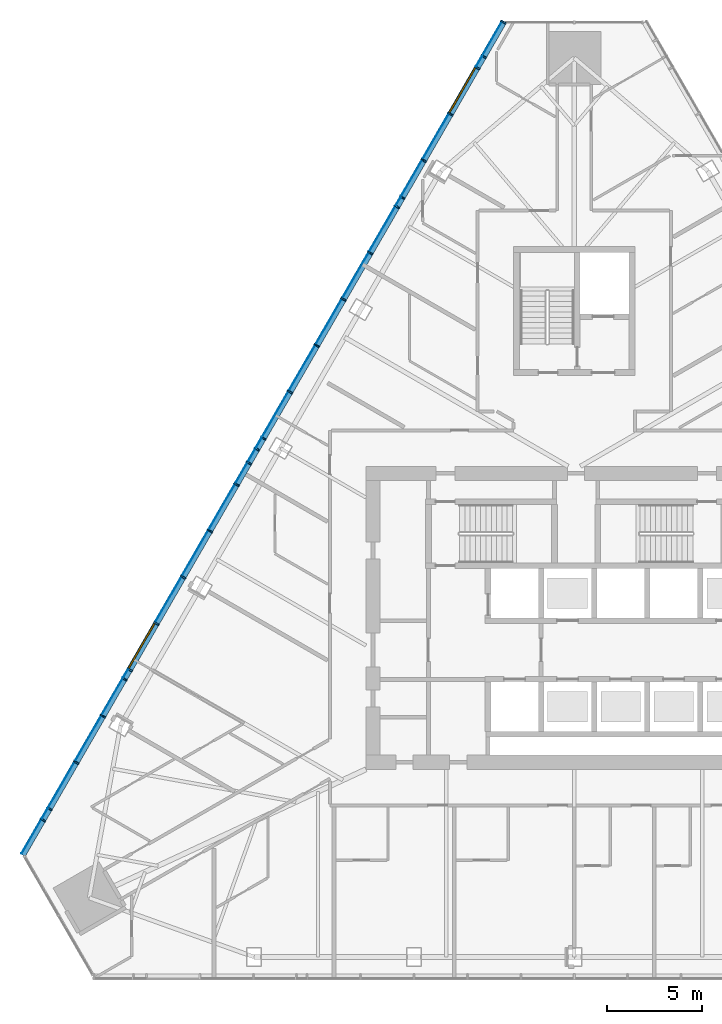
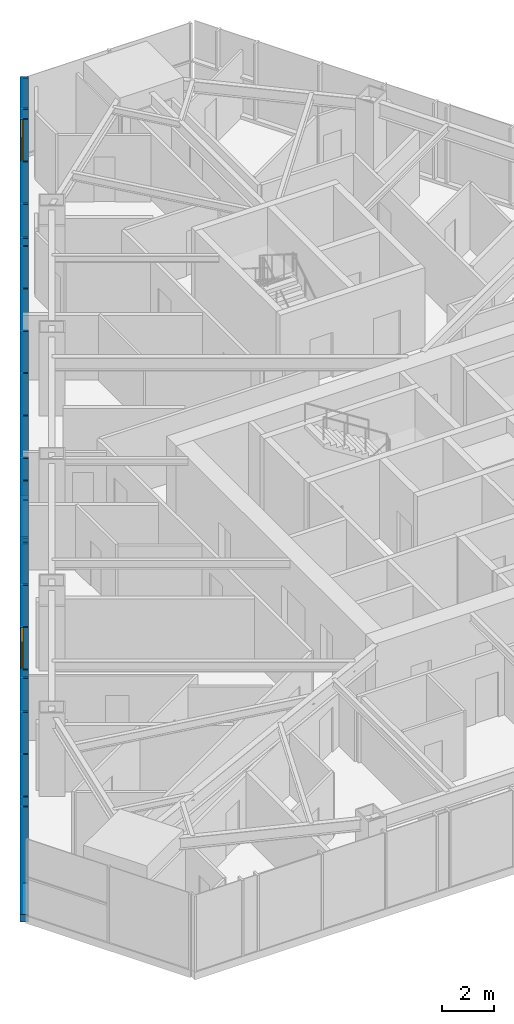
# One storey, part 5 of 20: 26 members, 23 plates, 2 windows, 2 openings, 1 element without a shape of its own.
"""IFC4 building model written with IfcOpenShell, lengths in metres."""

from ifc_helpers import new_model, si_unit, direction, frame, frame_2d, origin, origin_2d, place, context, subcontext, project, spatial, polyline, rectangle, outline, extrude, material, layer, layer_set, material_profile, profile_set, type_object, element, fill, aggregate, save


model = new_model("IFC4")

# Units and contexts
model_context = context("Model", 3, precision=1e-05, world=origin(), true_north=direction((0.0, 1.0)))
body_context = subcontext(model_context, "Body", "Model", "MODEL_VIEW")
ifc_project = project(units=[si_unit("LENGTHUNIT", "METRE"), si_unit("AREAUNIT", "SQUARE_METRE"), si_unit("VOLUMEUNIT", "CUBIC_METRE"), si_unit("PLANEANGLEUNIT", "RADIAN"), si_unit("MASSUNIT", "GRAM", prefix="KILO")], contexts=[model_context])

# Site, building, storey
site_placement = place(None, origin())
site = spatial("IfcSite", under=ifc_project, at=site_placement, CompositionType="ELEMENT")
building_placement = place(site_placement, origin())
building = spatial("IfcBuilding", under=site, at=building_placement, Name="Firuza Gate Tower and Library", CompositionType="ELEMENT")
storey_placement = place(building_placement, frame((0.0, 0.0, 214.300048828125)))
storey = spatial("IfcBuildingStorey", under=building, at=storey_placement, Name="L50", CompositionType="ELEMENT", Elevation=214.300048828125)

# Curtain wall, openings, members, plates, windows
ifc_material_1 = material(Name="Aluminium 6063-T6", Category="aluminium")
ifc_layer_1 = layer(ifc_material_1, 0.14990234375)
ifc_layer_set_1 = layer_set([ifc_layer_1], Name="Unitised curtain wall, hotel")
curtain_wall_type = type_object("IfcCurtainWallType", Name="Unitised curtain wall, hotel", PredefinedType="NOTDEFINED", material=ifc_layer_set_1)
curtain_wall_placement = place(storey_placement, origin())
curtain_wall = element("IfcCurtainWall", 1, at=curtain_wall_placement, inside=storey, type_object=curtain_wall_type, Name="CW2 L50 W face", PredefinedType="NOTDEFINED")
opening_1_placement = place(curtain_wall_placement, frame((69.77783203125, 104.050048828125, 0.14990234375), z_axis=(0.0, 0.0, 1.0), x_axis=(-0.5, -0.866025, 0.0)))
opening_1 = element("IfcOpeningElement", 2, at=opening_1_placement, cuts=curtain_wall, Name="Opening WD1-005", PredefinedType="OPENING", context=body_context, shape_type="SweptSolid", body=[
    extrude(rectangle(XDim=2.743408203125, YDim=3.550048828125, at=frame_2d((1.37158203125, 1.77490234375))), frame((0.0, 0.0849609375, 0.0), z_axis=(0.0, -1.0, 0.0), x_axis=(1.0, 0.0, 0.0)), (0.0, 0.0, 1.0), 0.169921875),
])
opening_2_placement = place(curtain_wall_placement, frame((52.837646484375, 74.708740234375, 0.14990234375), z_axis=(0.0, 0.0, 1.0), x_axis=(-0.5, -0.866025, 0.0)))
opening_2 = element("IfcOpeningElement", 3, at=opening_2_placement, cuts=curtain_wall, Name="Opening WD1-006", PredefinedType="OPENING", context=body_context, shape_type="SweptSolid", body=[
    extrude(rectangle(XDim=2.743408203125, YDim=3.550048828125, at=frame_2d((1.37158203125, 1.77490234375))), frame((0.0, 0.0849609375, 0.0), z_axis=(0.0, -1.0, 0.0), x_axis=(1.0, 0.0, 0.0)), (0.0, 0.0, 1.0), 0.169921875),
])
ifc_material_2 = material(Name="Aluminium 6063-T6", Category="aluminium")
ifc_material_profile_1 = material_profile(ifc_material_2, rectangle(XDim=0.320068359375, YDim=0.080078125, at=origin_2d()))
ifc_profile_set_1 = profile_set([ifc_material_profile_1], Name="Aluminium 6063-T6")
member_type_1 = type_object("IfcMemberType", Name="Curtain wall mullion 80x320", PredefinedType="MULLION", material=ifc_profile_set_1)
member_1_placement = place(storey_placement, frame((71.26318359375, 106.45263671875, 0.14990234375), z_axis=(0.0, 0.0, 1.0), x_axis=(0.866025403784, -0.5, 0.0)))
member_1 = element("IfcMember", 4, at=member_1_placement, type_object=member_type_1, Name="Mullion", PredefinedType="MULLION", context=body_context, shape_type="SweptSolid", body=[
    extrude(rectangle(XDim=0.320068359375, YDim=0.080078125, at=origin_2d()), origin(), (0.0, 0.0, 1.0), 3.550048828125),
])
member_2_placement = place(storey_placement, frame((69.871337890625, 104.042236328125, 0.14990234375), z_axis=(0.0, 0.0, 1.0), x_axis=(0.866025403784, -0.5, 0.0)))
member_2 = element("IfcMember", 5, at=member_2_placement, type_object=member_type_1, Name="Mullion", PredefinedType="MULLION", context=body_context, shape_type="SweptSolid", body=[
    extrude(rectangle(XDim=0.320068359375, YDim=0.080078125, at=origin_2d()), origin(), (0.0, 0.0, 1.0), 3.550048828125),
])
member_3_placement = place(storey_placement, frame((68.459716796875, 101.596923828125, 0.14990234375), z_axis=(0.0, 0.0, 1.0), x_axis=(0.866025403784, -0.5, 0.0)))
member_3 = element("IfcMember", 6, at=member_3_placement, type_object=member_type_1, Name="Mullion", PredefinedType="MULLION", context=body_context, shape_type="SweptSolid", body=[
    extrude(rectangle(XDim=0.320068359375, YDim=0.080078125, at=origin_2d()), origin(), (0.0, 0.0, 1.0), 3.550048828125),
])
member_4_placement = place(storey_placement, frame((67.048095703125, 99.15185546875, 0.14990234375), z_axis=(0.0, 0.0, 1.0), x_axis=(0.866025403784, -0.5, 0.0)))
member_4 = element("IfcMember", 7, at=member_4_placement, type_object=member_type_1, Name="Mullion", PredefinedType="MULLION", context=body_context, shape_type="SweptSolid", body=[
    extrude(rectangle(XDim=0.320068359375, YDim=0.080078125, at=origin_2d()), origin(), (0.0, 0.0, 1.0), 3.550048828125),
])
member_5_placement = place(storey_placement, frame((65.636474609375, 96.706787109375, 0.14990234375), z_axis=(0.0, 0.0, 1.0), x_axis=(0.866025403784, -0.5, 0.0)))
member_5 = element("IfcMember", 8, at=member_5_placement, type_object=member_type_1, Name="Mullion", PredefinedType="MULLION", context=body_context, shape_type="SweptSolid", body=[
    extrude(rectangle(XDim=0.320068359375, YDim=0.080078125, at=origin_2d()), origin(), (0.0, 0.0, 1.0), 3.550048828125),
])
member_6_placement = place(storey_placement, frame((64.224609375, 94.26171875, 0.14990234375), z_axis=(0.0, 0.0, 1.0), x_axis=(0.866025403784, -0.5, 0.0)))
member_6 = element("IfcMember", 9, at=member_6_placement, type_object=member_type_1, Name="Mullion", PredefinedType="MULLION", context=body_context, shape_type="SweptSolid", body=[
    extrude(rectangle(XDim=0.320068359375, YDim=0.080078125, at=origin_2d()), origin(), (0.0, 0.0, 1.0), 3.550048828125),
])
member_7_placement = place(storey_placement, frame((62.81298828125, 91.816650390625, 0.14990234375), z_axis=(0.0, 0.0, 1.0), x_axis=(0.866025403784, -0.5, 0.0)))
member_7 = element("IfcMember", 10, at=member_7_placement, type_object=member_type_1, Name="Mullion", PredefinedType="MULLION", context=body_context, shape_type="SweptSolid", body=[
    extrude(rectangle(XDim=0.320068359375, YDim=0.080078125, at=origin_2d()), origin(), (0.0, 0.0, 1.0), 3.550048828125),
])
member_8_placement = place(storey_placement, frame((61.4013671875, 89.37158203125, 0.14990234375), z_axis=(0.0, 0.0, 1.0), x_axis=(0.866025403784, -0.5, 0.0)))
member_8 = element("IfcMember", 11, at=member_8_placement, type_object=member_type_1, Name="Mullion", PredefinedType="MULLION", context=body_context, shape_type="SweptSolid", body=[
    extrude(rectangle(XDim=0.320068359375, YDim=0.080078125, at=origin_2d()), origin(), (0.0, 0.0, 1.0), 3.550048828125),
])
member_9_placement = place(storey_placement, frame((59.989501953125, 86.92626953125, 0.14990234375), z_axis=(0.0, 0.0, 1.0), x_axis=(0.866025403784, -0.5, 0.0)))
member_9 = element("IfcMember", 12, at=member_9_placement, type_object=member_type_1, Name="Mullion", PredefinedType="MULLION", context=body_context, shape_type="SweptSolid", body=[
    extrude(rectangle(XDim=0.320068359375, YDim=0.080078125, at=origin_2d()), origin(), (0.0, 0.0, 1.0), 3.550048828125),
])
member_10_placement = place(storey_placement, frame((58.577880859375, 84.481201171875, 0.14990234375), z_axis=(0.0, 0.0, 1.0), x_axis=(0.866025403784, -0.5, 0.0)))
member_10 = element("IfcMember", 13, at=member_10_placement, type_object=member_type_1, Name="Mullion", PredefinedType="MULLION", context=body_context, shape_type="SweptSolid", body=[
    extrude(rectangle(XDim=0.320068359375, YDim=0.080078125, at=origin_2d()), origin(), (0.0, 0.0, 1.0), 3.550048828125),
])
member_11_placement = place(storey_placement, frame((57.166259765625, 82.0361328125, 0.14990234375), z_axis=(0.0, 0.0, 1.0), x_axis=(0.866025403784, -0.5, 0.0)))
member_11 = element("IfcMember", 14, at=member_11_placement, type_object=member_type_1, Name="Mullion", PredefinedType="MULLION", context=body_context, shape_type="SweptSolid", body=[
    extrude(rectangle(XDim=0.320068359375, YDim=0.080078125, at=origin_2d()), origin(), (0.0, 0.0, 1.0), 3.550048828125),
])
member_12_placement = place(storey_placement, frame((55.754638671875, 79.591064453125, 0.14990234375), z_axis=(0.0, 0.0, 1.0), x_axis=(0.866025403784, -0.5, 0.0)))
member_12 = element("IfcMember", 15, at=member_12_placement, type_object=member_type_1, Name="Mullion", PredefinedType="MULLION", context=body_context, shape_type="SweptSolid", body=[
    extrude(rectangle(XDim=0.320068359375, YDim=0.080078125, at=origin_2d()), origin(), (0.0, 0.0, 1.0), 3.550048828125),
])
member_13_placement = place(storey_placement, frame((54.3427734375, 77.14599609375, 0.14990234375), z_axis=(0.0, 0.0, 1.0), x_axis=(0.866025403784, -0.5, 0.0)))
member_13 = element("IfcMember", 16, at=member_13_placement, type_object=member_type_1, Name="Mullion", PredefinedType="MULLION", context=body_context, shape_type="SweptSolid", body=[
    extrude(rectangle(XDim=0.320068359375, YDim=0.080078125, at=origin_2d()), origin(), (0.0, 0.0, 1.0), 3.550048828125),
])
member_14_placement = place(storey_placement, frame((52.93115234375, 74.700927734375, 0.14990234375), z_axis=(0.0, 0.0, 1.0), x_axis=(0.866025403784, -0.5, 0.0)))
member_14 = element("IfcMember", 17, at=member_14_placement, type_object=member_type_1, Name="Mullion", PredefinedType="MULLION", context=body_context, shape_type="SweptSolid", body=[
    extrude(rectangle(XDim=0.320068359375, YDim=0.080078125, at=origin_2d()), origin(), (0.0, 0.0, 1.0), 3.550048828125),
])
member_15_placement = place(storey_placement, frame((51.51953125, 72.255859375, 0.14990234375), z_axis=(0.0, 0.0, 1.0), x_axis=(0.866025403784, -0.5, 0.0)))
member_15 = element("IfcMember", 18, at=member_15_placement, type_object=member_type_1, Name="Mullion", PredefinedType="MULLION", context=body_context, shape_type="SweptSolid", body=[
    extrude(rectangle(XDim=0.320068359375, YDim=0.080078125, at=origin_2d()), origin(), (0.0, 0.0, 1.0), 3.550048828125),
])
member_16_placement = place(storey_placement, frame((50.10791015625, 69.810546875, 0.14990234375), z_axis=(0.0, 0.0, 1.0), x_axis=(0.866025403784, -0.5, 0.0)))
member_16 = element("IfcMember", 19, at=member_16_placement, type_object=member_type_1, Name="Mullion", PredefinedType="MULLION", context=body_context, shape_type="SweptSolid", body=[
    extrude(rectangle(XDim=0.320068359375, YDim=0.080078125, at=origin_2d()), origin(), (0.0, 0.0, 1.0), 3.550048828125),
])
member_17_placement = place(storey_placement, frame((48.696044921875, 67.365478515625, 0.14990234375), z_axis=(0.0, 0.0, 1.0), x_axis=(0.866025403784, -0.5, 0.0)))
member_17 = element("IfcMember", 20, at=member_17_placement, type_object=member_type_1, Name="Mullion", PredefinedType="MULLION", context=body_context, shape_type="SweptSolid", body=[
    extrude(rectangle(XDim=0.320068359375, YDim=0.080078125, at=origin_2d()), origin(), (0.0, 0.0, 1.0), 3.550048828125),
])
member_18_placement = place(storey_placement, frame((47.284423828125, 64.92041015625, 0.14990234375), z_axis=(0.0, 0.0, 1.0), x_axis=(0.866025403784, -0.5, 0.0)))
member_18 = element("IfcMember", 21, at=member_18_placement, type_object=member_type_1, Name="Mullion", PredefinedType="MULLION", context=body_context, shape_type="SweptSolid", body=[
    extrude(rectangle(XDim=0.320068359375, YDim=0.080078125, at=origin_2d()), origin(), (0.0, 0.0, 1.0), 3.550048828125),
])
member_19_placement = place(storey_placement, frame((70.21337890625, 104.63427734375, 0.14990234375), z_axis=(0.0, 0.0, 1.0), x_axis=(0.866025403784, -0.5, 0.0)))
member_19 = element("IfcMember", 22, at=member_19_placement, type_object=member_type_1, Name="Mullion", PredefinedType="MULLION", context=body_context, shape_type="SweptSolid", body=[
    extrude(rectangle(XDim=0.320068359375, YDim=0.080078125, at=origin_2d()), origin(), (0.0, 0.0, 1.0), 3.550048828125),
])
member_20_placement = place(storey_placement, frame((65.91650390625, 97.19189453125, 0.14990234375), z_axis=(0.0, 0.0, 1.0), x_axis=(0.866025403784, -0.5, 0.0)))
member_20 = element("IfcMember", 23, at=member_20_placement, type_object=member_type_1, Name="Mullion", PredefinedType="MULLION", context=body_context, shape_type="SweptSolid", body=[
    extrude(rectangle(XDim=0.320068359375, YDim=0.080078125, at=origin_2d()), origin(), (0.0, 0.0, 1.0), 3.550048828125),
])
member_21_placement = place(storey_placement, frame((58.2451171875, 83.905029296875, 0.14990234375), z_axis=(0.0, 0.0, 1.0), x_axis=(0.866025403784, -0.5, 0.0)))
member_21 = element("IfcMember", 24, at=member_21_placement, type_object=member_type_1, Name="Mullion", PredefinedType="MULLION", context=body_context, shape_type="SweptSolid", body=[
    extrude(rectangle(XDim=0.320068359375, YDim=0.080078125, at=origin_2d()), origin(), (0.0, 0.0, 1.0), 1.735107421875),
])
member_22_placement = place(storey_placement, frame((57.82275390625, 83.173095703125, 1.96484375), z_axis=(0.0, 0.0, 1.0), x_axis=(0.866025403784, -0.5, 0.0)))
member_22 = element("IfcMember", 25, at=member_22_placement, type_object=member_type_1, Name="Mullion", PredefinedType="MULLION", context=body_context, shape_type="SweptSolid", body=[
    extrude(rectangle(XDim=0.320068359375, YDim=0.080078125, at=origin_2d()), origin(), (0.0, 0.0, 1.0), 1.735107421875),
])
member_23_placement = place(storey_placement, frame((51.239501953125, 71.7705078125, 0.14990234375), z_axis=(0.0, 0.0, 1.0), x_axis=(0.866025403784, -0.5, 0.0)))
member_23 = element("IfcMember", 26, at=member_23_placement, type_object=member_type_1, Name="Mullion", PredefinedType="MULLION", context=body_context, shape_type="SweptSolid", body=[
    extrude(rectangle(XDim=0.320068359375, YDim=0.080078125, at=origin_2d()), origin(), (0.0, 0.0, 1.0), 3.550048828125),
])
member_24_placement = place(storey_placement, frame((46.942626953125, 64.328125, 0.14990234375), z_axis=(0.0, 0.0, 1.0), x_axis=(0.866025403784, -0.5, 0.0)))
member_24 = element("IfcMember", 27, at=member_24_placement, type_object=member_type_1, Name="Mullion", PredefinedType="MULLION", context=body_context, shape_type="SweptSolid", body=[
    extrude(rectangle(XDim=0.320068359375, YDim=0.080078125, at=origin_2d()), origin(), (0.0, 0.0, 1.0), 3.550048828125),
])
ifc_material_3 = material(Name="Aluminium 6063-T6", Category="aluminium")
ifc_material_profile_2 = material_profile(ifc_material_3, rectangle(XDim=0.320068359375, YDim=0.35009765625, at=origin_2d()))
ifc_profile_set_2 = profile_set([ifc_material_profile_2], Name="Aluminium 6063-T6")
member_type_2 = type_object("IfcMemberType", Name="Curtain wall transom 350x320", PredefinedType="USERDEFINED", material=ifc_profile_set_2)
member_25_placement = place(storey_placement, frame((71.283203125, 106.4873046875, -0.025146484375), z_axis=(-0.500001206715, -0.866024707086, 0.0), x_axis=(0.866024707086, -0.500001206715, 0.0)))
member_25 = element("IfcMember", 28, at=member_25_placement, type_object=member_type_2, Name="Transom", ObjectType="TRANSOM", PredefinedType="USERDEFINED", context=body_context, shape_type="SweptSolid", body=[
    extrude(rectangle(XDim=0.320068359375, YDim=0.35009765625, at=origin_2d()), origin(), (0.0, 0.0, 1.0), 50.820556640625),
])
ifc_material_4 = material(Name="Aluminium 6063-T6", Category="aluminium")
ifc_material_profile_3 = material_profile(ifc_material_4, rectangle(XDim=0.320068359375, YDim=0.080078125, at=origin_2d()))
ifc_profile_set_3 = profile_set([ifc_material_profile_3], Name="Aluminium 6063-T6")
member_type_3 = type_object("IfcMemberType", Name="Curtain wall transom 80x320", PredefinedType="USERDEFINED", material=ifc_profile_set_3)
member_26_placement = place(storey_placement, frame((58.557861328125, 84.446533203125, 1.925048828125), z_axis=(-0.499986952748, -0.866032936488, 0.0), x_axis=(0.866032936488, -0.499986952748, 0.0)))
member_26 = element("IfcMember", 29, at=member_26_placement, type_object=member_type_3, Name="Transom", ObjectType="TRANSOM", PredefinedType="USERDEFINED", context=body_context, shape_type="SweptSolid", body=[
    extrude(rectangle(XDim=0.320068359375, YDim=0.080078125, at=origin_2d()), origin(), (0.0, 0.0, 1.0), 2.7431640625),
])
ifc_material_5 = material(Name="Fritted glass", Category="glass")
ifc_layer_2 = layer(ifc_material_5, 0.030029296875)
ifc_layer_set_2 = layer_set([ifc_layer_2], Name="Fritted glass unit, hotel")
plate_type_1 = type_object("IfcPlateType", Name="Fritted glass unit, hotel", PredefinedType="CURTAIN_PANEL", material=ifc_layer_set_2)
plate_1_placement = place(storey_placement, frame((70.106689453125, 104.649658203125, 0.14990234375), z_axis=(-0.865970128318, 0.500095727698, 0.0), x_axis=(-0.500095727698, -0.865970128318, 0.0)))
plate_1 = element("IfcPlate", 30, at=plate_1_placement, type_object=plate_type_1, Name="Glass unit", PredefinedType="CURTAIN_PANEL", context=body_context, shape_type="SweptSolid", body=[
    extrude(outline(polyline([(0.0, 0.0), (0.6038882885787321, 0.0), (0.6038882885787321, 3.5500488281249996), (0.0, 3.5500488281249996), (0.0, 0.0)])), origin(), (0.0, 0.0, -1.0), 0.030029296875),
])
plate_2_placement = place(storey_placement, frame((65.809814453125, 97.207275390625, 0.14990234375), z_axis=(-0.866075499611, 0.499913221443, 0.0), x_axis=(-0.499913221443, -0.866075499611, 0.0)))
plate_2 = element("IfcPlate", 31, at=plate_2_placement, type_object=plate_type_1, Name="Glass unit", PredefinedType="CURTAIN_PANEL", context=body_context, shape_type="SweptSolid", body=[
    extrude(outline(polyline([(0.0, 0.0), (0.48006378723536136, 0.0), (0.48006378723536136, 3.550048828125), (0.0, 3.550048828125), (0.0, 0.0)])), origin(), (0.0, 0.0, -1.0), 0.030029296875),
])
plate_3_placement = place(storey_placement, frame((65.52978515625, 96.72216796875, 0.14990234375), z_axis=(-0.86599439933, 0.500053697445, 0.0), x_axis=(-0.500053697445, -0.86599439933, 0.0)))
plate_3 = element("IfcPlate", 32, at=plate_3_placement, type_object=plate_type_1, Name="Glass unit", PredefinedType="CURTAIN_PANEL", context=body_context, shape_type="SweptSolid", body=[
    extrude(outline(polyline([(0.0, 0.0), (2.7433577211492617, 0.0), (2.7433577211492617, 3.550048828125001), (0.0, 3.550048828125001), (0.0, 0.0)])), origin(), (0.0, 0.0, -1.0), 0.030029296875),
])
plate_4_placement = place(storey_placement, frame((61.294677734375, 89.386962890625, 0.14990234375), z_axis=(-0.866055182085, 0.499948418923, 0.0), x_axis=(-0.499948418923, -0.866055182085, 0.0)))
plate_4 = element("IfcPlate", 33, at=plate_4_placement, type_object=plate_type_1, Name="Glass unit", PredefinedType="CURTAIN_PANEL", context=body_context, shape_type="SweptSolid", body=[
    extrude(outline(polyline([(0.0, 0.0), (2.7434470824124153, 0.0), (2.7434470824124153, 3.550048828125001), (0.0, 3.550048828125001), (0.0, 0.0)])), origin(), (0.0, 0.0, -1.0), 0.030029296875),
])
plate_5_placement = place(storey_placement, frame((58.471435546875, 84.49658203125, 0.14990234375), z_axis=(-0.865949381454, 0.500131651427, 0.0), x_axis=(-0.500131651427, -0.865949381454, 0.0)))
plate_5 = element("IfcPlate", 34, at=plate_5_placement, type_object=plate_type_1, Name="Glass unit", PredefinedType="CURTAIN_PANEL", context=body_context, shape_type="SweptSolid", body=[
    extrude(outline(polyline([(0.0, 0.0), (0.5852951088769239, 0.0), (0.5852951088769239, 1.735107421875), (0.0, 1.735107421875), (0.0, 0.0)])), origin(), (0.0, 0.0, -1.0), 0.030029296875),
])
plate_6_placement = place(storey_placement, frame((57.716064453125, 83.1884765625, 1.96484375), z_axis=(-0.866004199017, 0.500036725936, 0.0), x_axis=(-0.500036725936, -0.866004199017, 0.0)))
plate_6 = element("IfcPlate", 35, at=plate_6_placement, type_object=plate_type_1, Name="Glass unit", PredefinedType="CURTAIN_PANEL", context=body_context, shape_type="SweptSolid", body=[
    extrude(outline(polyline([(0.0, 0.0), (1.232819603342302, 0.0), (1.232819603342302, 1.735107421875), (0.0, 1.735107421875), (0.0, 0.0)])), origin(), (0.0, 0.0, -1.0), 0.030029296875),
])
plate_7_placement = place(storey_placement, frame((57.0595703125, 82.051513671875, 0.14990234375), z_axis=(-0.866032936488, 0.499986952748, 0.0), x_axis=(-0.499986952748, -0.866032936488, 0.0)))
plate_7 = element("IfcPlate", 36, at=plate_7_placement, type_object=plate_type_1, Name="Glass unit", PredefinedType="CURTAIN_PANEL", context=body_context, shape_type="SweptSolid", body=[
    extrude(outline(polyline([(0.0, 0.0), (2.7432356458743987, 0.0), (2.7432356458743987, 3.550048828125), (0.0, 3.550048828125), (0.0, 0.0)])), origin(), (0.0, 0.0, -1.0), 0.030029296875),
])
plate_8_placement = place(storey_placement, frame((51.412841796875, 72.27099609375, 0.14990234375), z_axis=(-0.866075499611, 0.499913221443, 0.0), x_axis=(-0.499913221443, -0.866075499611, 0.0)))
plate_8 = element("IfcPlate", 37, at=plate_8_placement, type_object=plate_type_1, Name="Glass unit", PredefinedType="CURTAIN_PANEL", context=body_context, shape_type="SweptSolid", body=[
    extrude(outline(polyline([(0.0, 0.0), (0.48006378723536136, 0.0), (0.48006378723536136, 3.550048828125), (0.0, 3.550048828125), (0.0, 0.0)])), origin(), (0.0, 0.0, -1.0), 0.030029296875),
])
plate_9_placement = place(storey_placement, frame((48.589599609375, 67.380859375, 0.14990234375), z_axis=(-0.86599439933, 0.500053697445, 0.0), x_axis=(-0.500053697445, -0.86599439933, 0.0)))
plate_9 = element("IfcPlate", 38, at=plate_9_placement, type_object=plate_type_1, Name="Glass unit", PredefinedType="CURTAIN_PANEL", context=body_context, shape_type="SweptSolid", body=[
    extrude(outline(polyline([(0.0, 0.0), (2.7433577211492617, 0.0), (2.7433577211492617, 3.550048828125001), (0.0, 3.550048828125001), (0.0, 0.0)])), origin(), (0.0, 0.0, -1.0), 0.030029296875),
])
plate_10_placement = place(storey_placement, frame((47.177978515625, 64.935791015625, 0.14990234375), z_axis=(-0.865970128318, 0.500095727698, 0.0), x_axis=(-0.500095727698, -0.865970128318, 0.0)))
plate_10 = element("IfcPlate", 39, at=plate_10_placement, type_object=plate_type_1, Name="Glass unit", PredefinedType="CURTAIN_PANEL", context=body_context, shape_type="SweptSolid", body=[
    extrude(outline(polyline([(0.0, 0.0), (0.6038882885787321, 0.0), (0.6038882885787321, 3.5500488281249996), (0.0, 3.5500488281249996), (0.0, 0.0)])), origin(), (0.0, 0.0, -1.0), 0.030029296875),
])
ifc_material_6 = material(Name="Glazed ceramic tile")
ifc_layer_3 = layer(ifc_material_6, 0.030029296875)
ifc_layer_set_3 = layer_set([ifc_layer_3], Name="Opaque ceramic panel, hotel")
plate_type_2 = type_object("IfcPlateType", Name="Opaque ceramic panel, hotel", PredefinedType="CURTAIN_PANEL", material=ifc_layer_set_3)
plate_11_placement = place(storey_placement, frame((71.176513671875, 106.502685546875, 0.14990234375), z_axis=(-0.866031617834, 0.499989236795, 0.0), x_axis=(-0.499989236795, -0.866031617834, 0.0)))
plate_11 = element("IfcPlate", 40, at=plate_11_placement, type_object=plate_type_2, Name="Opaque ceramic panel", PredefinedType="CURTAIN_PANEL", context=body_context, shape_type="SweptSolid", body=[
    extrude(outline(polyline([(0.0, 0.0), (2.0596146486085547, 0.0), (2.0596146486085547, 3.550048828125001), (0.0, 3.550048828125001), (0.0, 0.0)])), origin(), (0.0, 0.0, -1.0), 0.030029296875),
])
plate_12_placement = place(storey_placement, frame((68.35302734375, 101.6123046875, 0.14990234375), z_axis=(-0.866032936488, 0.499986952748, 0.0), x_axis=(-0.499986952748, -0.866032936488, 0.0)))
plate_12 = element("IfcPlate", 41, at=plate_12_placement, type_object=plate_type_2, Name="Opaque ceramic panel", PredefinedType="CURTAIN_PANEL", context=body_context, shape_type="SweptSolid", body=[
    extrude(outline(polyline([(0.0, 0.0), (2.7432356458743987, 0.0), (2.7432356458743987, 3.550048828125), (0.0, 3.550048828125), (0.0, 0.0)])), origin(), (0.0, 0.0, -1.0), 0.030029296875),
])
plate_13_placement = place(storey_placement, frame((66.94140625, 99.167236328125, 0.14990234375), z_axis=(-0.866025427251, 0.499999959354, 0.0), x_axis=(-0.499999959354, -0.866025427251, 0.0)))
plate_13 = element("IfcPlate", 42, at=plate_13_placement, type_object=plate_type_2, Name="Opaque ceramic panel", PredefinedType="CURTAIN_PANEL", context=body_context, shape_type="SweptSolid", body=[
    extrude(outline(polyline([(0.0, 0.0), (2.1831056462174567, 0.0), (2.1831056462174567, 3.550048828125), (0.0, 3.550048828125), (0.0, 0.0)])), origin(), (0.0, 0.0, -1.0), 0.030029296875),
])
plate_14_placement = place(storey_placement, frame((64.1181640625, 94.277099609375, 0.14990234375), z_axis=(-0.866016649877, 0.500015161905, 0.0), x_axis=(-0.500015161905, -0.866016649877, 0.0)))
plate_14 = element("IfcPlate", 43, at=plate_14_placement, type_object=plate_type_2, Name="Opaque ceramic panel", PredefinedType="CURTAIN_PANEL", context=body_context, shape_type="SweptSolid", body=[
    extrude(outline(polyline([(0.0, 0.0), (2.7435691482793962, 0.0), (2.7435691482793962, 3.550048828125001), (0.0, 3.550048828125001), (0.0, 0.0)])), origin(), (0.0, 0.0, -1.0), 0.030029296875),
])
plate_15_placement = place(storey_placement, frame((62.706298828125, 91.83203125, 0.14990234375), z_axis=(-0.866055182085, 0.499948418923, 0.0), x_axis=(-0.499948418923, -0.866055182085, 0.0)))
plate_15 = element("IfcPlate", 44, at=plate_15_placement, type_object=plate_type_2, Name="Opaque ceramic panel", PredefinedType="CURTAIN_PANEL", context=body_context, shape_type="SweptSolid", body=[
    extrude(outline(polyline([(0.0, 0.0), (2.7434470824124153, 0.0), (2.7434470824124153, 3.550048828125001), (0.0, 3.550048828125001), (0.0, 0.0)])), origin(), (0.0, 0.0, -1.0), 0.030029296875),
])
plate_16_placement = place(storey_placement, frame((59.883056640625, 86.941650390625, 0.14990234375), z_axis=(-0.86599439933, 0.500053697445, 0.0), x_axis=(-0.500053697445, -0.86599439933, 0.0)))
plate_16 = element("IfcPlate", 45, at=plate_16_placement, type_object=plate_type_2, Name="Opaque ceramic panel", PredefinedType="CURTAIN_PANEL", context=body_context, shape_type="SweptSolid", body=[
    extrude(outline(polyline([(0.0, 0.0), (2.7433577211492617, 0.0), (2.7433577211492617, 3.550048828125001), (0.0, 3.550048828125001), (0.0, 0.0)])), origin(), (0.0, 0.0, -1.0), 0.030029296875),
])
plate_17_placement = place(storey_placement, frame((58.138671875, 83.92041015625, 0.14990234375), z_axis=(-0.866007538022, 0.500030943131, 0.0), x_axis=(-0.500030943131, -0.866007538022, 0.0)))
plate_17 = element("IfcPlate", 46, at=plate_17_placement, type_object=plate_type_2, Name="Opaque ceramic panel", PredefinedType="CURTAIN_PANEL", context=body_context, shape_type="SweptSolid", body=[
    extrude(outline(polyline([(0.0, 0.0), (2.0779964005684177, 0.0), (2.0779964005684177, 1.735107421875), (0.0, 1.735107421875), (0.0, 0.0)])), origin(), (0.0, 0.0, -1.0), 0.030029296875),
])
plate_18_placement = place(storey_placement, frame((58.471435546875, 84.49658203125, 1.96484375), z_axis=(-0.865986621817, 0.500067166323, 0.0), x_axis=(-0.500067166323, -0.865986621817, 0.0)))
plate_18 = element("IfcPlate", 47, at=plate_18_placement, type_object=plate_type_2, Name="Opaque ceramic panel", PredefinedType="CURTAIN_PANEL", context=body_context, shape_type="SweptSolid", body=[
    extrude(outline(polyline([(0.0, 0.0), (1.4304719034240398, 0.0), (1.4304719034240398, 1.735107421875), (0.0, 1.735107421875), (0.0, 0.0)])), origin(), (0.0, 0.0, -1.0), 0.030029296875),
])
plate_19_placement = place(storey_placement, frame((55.64794921875, 79.6064453125, 0.14990234375), z_axis=(-0.866032936488, 0.499986952748, 0.0), x_axis=(-0.499986952748, -0.866032936488, 0.0)))
plate_19 = element("IfcPlate", 48, at=plate_19_placement, type_object=plate_type_2, Name="Opaque ceramic panel", PredefinedType="CURTAIN_PANEL", context=body_context, shape_type="SweptSolid", body=[
    extrude(outline(polyline([(0.0, 0.0), (2.7432356458743987, 0.0), (2.7432356458743987, 3.550048828125), (0.0, 3.550048828125), (0.0, 0.0)])), origin(), (0.0, 0.0, -1.0), 0.030029296875),
])
plate_20_placement = place(storey_placement, frame((54.236328125, 77.161376953125, 0.14990234375), z_axis=(-0.866016649877, 0.500015161905, 0.0), x_axis=(-0.500015161905, -0.866016649877, 0.0)))
plate_20 = element("IfcPlate", 49, at=plate_20_placement, type_object=plate_type_2, Name="Opaque ceramic panel", PredefinedType="CURTAIN_PANEL", context=body_context, shape_type="SweptSolid", body=[
    extrude(outline(polyline([(0.0, 0.0), (2.7435691482793962, 0.0), (2.7435691482793962, 3.550048828125001), (0.0, 3.550048828125001), (0.0, 0.0)])), origin(), (0.0, 0.0, -1.0), 0.030029296875),
])
plate_21_placement = place(storey_placement, frame((51.1328125, 71.785888671875, 0.14990234375), z_axis=(-0.866025427251, 0.499999959354, 0.0), x_axis=(-0.499999959354, -0.866025427251, 0.0)))
plate_21 = element("IfcPlate", 50, at=plate_21_placement, type_object=plate_type_2, Name="Opaque ceramic panel", PredefinedType="CURTAIN_PANEL", context=body_context, shape_type="SweptSolid", body=[
    extrude(outline(polyline([(0.0, 0.0), (2.1831056462174567, 0.0), (2.1831056462174567, 3.550048828125), (0.0, 3.550048828125), (0.0, 0.0)])), origin(), (0.0, 0.0, -1.0), 0.030029296875),
])
plate_22_placement = place(storey_placement, frame((50.001220703125, 69.825927734375, 0.14990234375), z_axis=(-0.866032936488, 0.499986952748, 0.0), x_axis=(-0.499986952748, -0.866032936488, 0.0)))
plate_22 = element("IfcPlate", 51, at=plate_22_placement, type_object=plate_type_2, Name="Opaque ceramic panel", PredefinedType="CURTAIN_PANEL", context=body_context, shape_type="SweptSolid", body=[
    extrude(outline(polyline([(0.0, 0.0), (2.7432356458743987, 0.0), (2.7432356458743987, 3.550048828125), (0.0, 3.550048828125), (0.0, 0.0)])), origin(), (0.0, 0.0, -1.0), 0.030029296875),
])
plate_23_placement = place(storey_placement, frame((46.8359375, 64.343505859375, 0.14990234375), z_axis=(-0.866001980287, 0.500040568494, 0.0), x_axis=(-0.500040568494, -0.866001980287, 0.0)))
plate_23 = element("IfcPlate", 52, at=plate_23_placement, type_object=plate_type_2, Name="Opaque ceramic panel", PredefinedType="CURTAIN_PANEL", context=body_context, shape_type="SweptSolid", body=[
    extrude(outline(polyline([(0.0, 0.0), (2.0594032187257856, 0.0), (2.0594032187257856, 3.550048828125), (0.0, 3.550048828125), (0.0, 0.0)])), origin(), (0.0, 0.0, -1.0), 0.030029296875),
])
aggregate(curtain_wall, [member_1, member_2, member_3, member_4, member_5, member_6, member_7, member_8, member_9, member_10, member_11, member_12, member_13, member_14, member_15, member_16, member_17, member_18, member_25, plate_11, plate_1, member_19, plate_12, plate_13, plate_2, member_20, plate_3, plate_14, plate_15, plate_4, plate_16, plate_5, plate_17, plate_18, plate_6, member_21, member_22, member_26, plate_7, plate_19, plate_20, plate_8, plate_21, member_23, plate_22, plate_9, plate_10, plate_23, member_24])
ifc_material_7 = material(Name="Aluminium 6063-T6 and glass", Category="aluminium")
ifc_layer_4 = layer(ifc_material_7, 0.030029296875)
ifc_layer_set_4 = layer_set([ifc_layer_4], Name="Operable glazed unit")
window_type = type_object("IfcWindowType", Name="Operable glazed unit", PartitioningType="SINGLE_PANEL", PredefinedType="WINDOW", material=ifc_layer_set_4)
window_1_placement = place(opening_1_placement, origin())
window_1 = element("IfcWindow", 53, at=window_1_placement, inside=storey, type_object=window_type, Name="Operable glazed unit", OverallHeight=3.550048828125, OverallWidth=2.743408203125, PartitioningType="SINGLE_PANEL", PredefinedType="WINDOW", context=body_context, shape_type="SweptSolid", body=[
    extrude(rectangle(XDim=2.743408203125, YDim=3.550048828125, at=frame_2d((1.37158203125, 1.77490234375))), frame((0.0, 0.030029296875, 0.0), z_axis=(0.0, -1.0, 0.0), x_axis=(1.0, 0.0, 0.0)), (0.0, 0.0, 1.0), 0.06005859375),
])
fill(opening_1, window_1)
window_2_placement = place(opening_2_placement, origin())
window_2 = element("IfcWindow", 54, at=window_2_placement, inside=storey, type_object=window_type, Name="Operable glazed unit", OverallHeight=3.550048828125, OverallWidth=2.743408203125, PartitioningType="SINGLE_PANEL", PredefinedType="WINDOW", context=body_context, shape_type="SweptSolid", body=[
    extrude(rectangle(XDim=2.743408203125, YDim=3.550048828125, at=frame_2d((1.37158203125, 1.77490234375))), frame((0.0, 0.030029296875, 0.0), z_axis=(0.0, -1.0, 0.0), x_axis=(1.0, 0.0, 0.0)), (0.0, 0.0, 1.0), 0.06005859375),
])
fill(opening_2, window_2)

save(model, "model.ifc")
